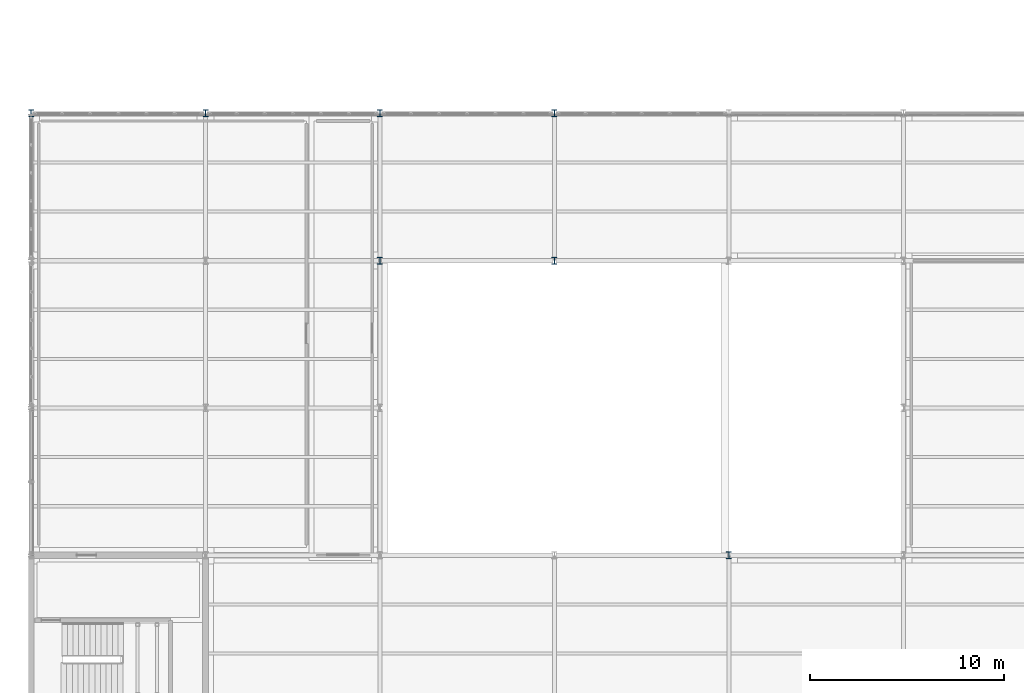
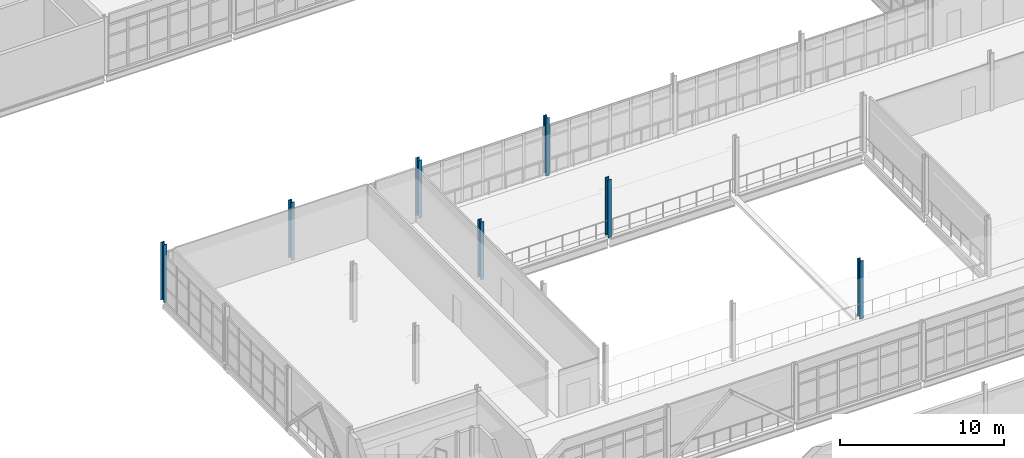
# One storey, part 6 of 174: 7 columns.
"""IFC4 building model written with IfcOpenShell, lengths in metres."""

from ifc_helpers import new_model, si_unit, direction, frame, origin, origin_2d, place, context, subcontext, project, spatial, i_section, extrude, material, material_profile, profile_set, type_object, element, save


model = new_model("IFC4")

# Units and contexts
model_context = context("Model", 3, precision=1e-05, world=origin(), true_north=direction((0.0, 1.0)))
body_context = subcontext(model_context, "Body", "Model", "MODEL_VIEW")
ifc_project = project(units=[si_unit("LENGTHUNIT", "METRE"), si_unit("AREAUNIT", "SQUARE_METRE"), si_unit("VOLUMEUNIT", "CUBIC_METRE"), si_unit("PLANEANGLEUNIT", "RADIAN"), si_unit("MASSUNIT", "GRAM", prefix="KILO")], contexts=[model_context])

# Site, building, storey
site_placement = place(None, origin())
site = spatial("IfcSite", under=ifc_project, at=site_placement, CompositionType="ELEMENT")
building_placement = place(site_placement, origin())
building = spatial("IfcBuilding", under=site, at=building_placement, Name="Caisbarro Railhouse Central Library", CompositionType="ELEMENT")
storey_placement = place(building_placement, frame((0.0, 0.0, 5.0400390625)))
storey = spatial("IfcBuildingStorey", under=building, at=storey_placement, Name="L01", CompositionType="ELEMENT", Elevation=5.0400390625)

# Columns
ifc_material = material(Name="Steel ASTM A572 Grade 50", Category="steel")
ifc_material_profile = material_profile(ifc_material, i_section(OverallWidth=0.257080078125, OverallDepth=0.363037109375, WebThickness=0.012939453125, FlangeThickness=0.021728515625, FilletRadius=0.014892578125, at=origin_2d()), Name="W360X122.0")
ifc_profile_set = profile_set([ifc_material_profile], Name="Steel ASTM A572 Grade 50")
column_type = type_object("IfcColumnType", Name="COL-C04", PredefinedType="COLUMN", material=ifc_profile_set)
for number, where, z_axis, x_axis, name in (
    (1, (0.0, 60.800048828125, 0.0), (0.0, 0.0, 1.0), (1.0, 0.0, 0.0), "C04 column L01 (0.0,60.8)"),
    (2, (9.0, 60.800048828125, 0.0), (0.0, 0.0, 1.0), (1.0, 0.0, 0.0), "C04 column L01 (9.0,60.8)"),
    (3, (18.0, 53.199951171875, 0.0), (0.0, 0.0, 1.0), (1.0, 0.0, 0.0), "C04 column L01 (18.0,53.2)"),
    (4, (18.0, 60.800048828125, 0.0), (0.0, 0.0, 1.0), (1.0, 0.0, 0.0), "C04 column L01 (18.0,60.8)"),
    (5, (27.0, 53.199951171875, 0.0), (0.0, 0.0, 1.0), (1.0, 0.0, 0.0), "C04 column L01 (27.0,53.2)"),
    (6, (27.0, 60.800048828125, 0.0), (0.0, 0.0, 1.0), (1.0, 0.0, 0.0), "C04 column L01 (27.0,60.8)"),
    (7, (36.0, 38.0, 0.0), (0.0, 0.0, 1.0), (1.0, 0.0, 0.0), "C04 column L01 (36.0,38.0)"),
):
    element("IfcColumn", number, at=place(storey_placement, frame(where, z_axis=z_axis, x_axis=x_axis)), inside=storey, type_object=column_type, Name=name, PredefinedType="COLUMN", context=body_context, shape_type="SweptSolid", body=[
        extrude(i_section(OverallWidth=0.257080078125, OverallDepth=0.363037109375, WebThickness=0.012939453125, FlangeThickness=0.021728515625, FilletRadius=0.014892578125, at=origin_2d()), origin(), (0.0, 0.0, 1.0), 4.320068359375),
    ])

save(model, "model.ifc")
